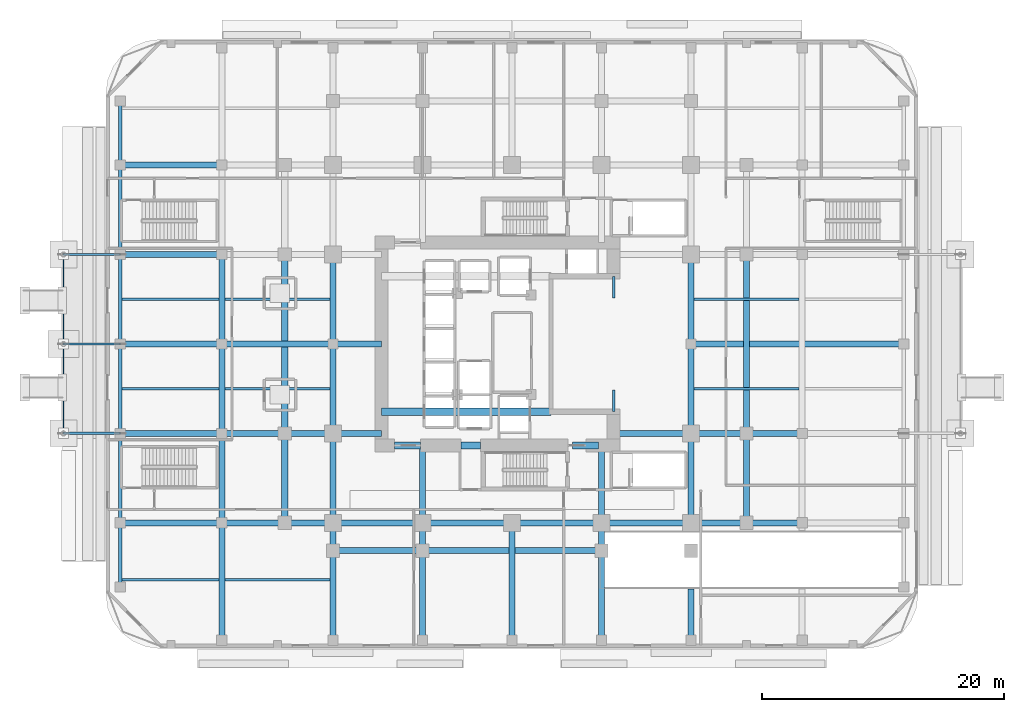
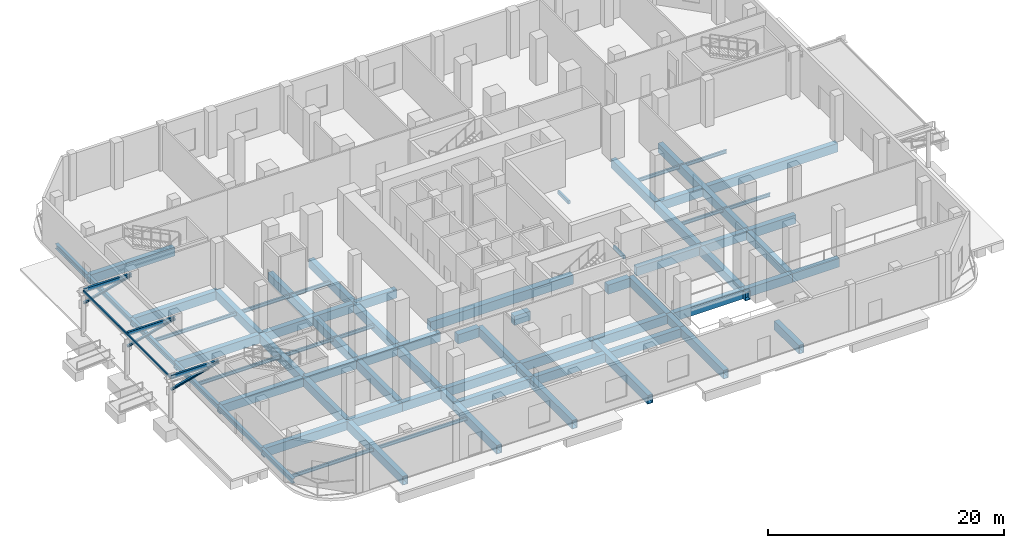
# One storey, part 7 of 24: 71 beams, 4 members.
"""IFC4 building model written with IfcOpenShell, lengths in metres."""

from ifc_helpers import new_model, si_unit, direction, frame, origin, origin_2d, place, context, subcontext, project, spatial, rectangle, hollow_rectangle, i_section, extrude, material, material_profile, profile_set, type_object, element, save


model = new_model("IFC4")

# Units and contexts
model_context = context("Model", 3, precision=1e-05, world=origin(), true_north=direction((0.0, 1.0)))
body_context = subcontext(model_context, "Body", "Model", "MODEL_VIEW")
ifc_project = project(units=[si_unit("LENGTHUNIT", "METRE"), si_unit("AREAUNIT", "SQUARE_METRE"), si_unit("VOLUMEUNIT", "CUBIC_METRE"), si_unit("PLANEANGLEUNIT", "RADIAN"), si_unit("MASSUNIT", "GRAM", prefix="KILO")], contexts=[model_context])

# Site, building, storey
site_placement = place(None, origin())
site = spatial("IfcSite", under=ifc_project, at=site_placement, CompositionType="ELEMENT")
building_placement = place(site_placement, origin())
building = spatial("IfcBuilding", under=site, at=building_placement, Name="Khorvyn Point Tower", CompositionType="ELEMENT")
storey_placement = place(building_placement, origin())
storey = spatial("IfcBuildingStorey", under=building, at=storey_placement, Name="L01", CompositionType="ELEMENT", Elevation=0.0)

# Beams
ifc_material_1 = material(Name="Concrete C35/45", Category="concrete")
ifc_material_profile_1 = material_profile(ifc_material_1, rectangle(XDim=0.199951171875, YDim=0.35009765625, at=origin_2d()))
ifc_profile_set_1 = profile_set([ifc_material_profile_1], Name="Concrete C35/45 RC200x350")
beam_type_1 = type_object("IfcBeamType", Name="Concrete C35/45 Lintel RC200x350", PredefinedType="LINTEL", material=ifc_profile_set_1)
for number, where, z_axis, x_axis, name in (
    (1, (8.39990234375, -5.60009765625, -0.47509765625), (0.0, 1.0, 0.0), (-1.0, 0.0, 0.0), "L01 Core Atrium Portal Lintel S"),
    (2, (8.39990234375, 3.800048828125, -0.47509765625), (0.0, 1.0, 0.0), (-1.0, 0.0, 0.0), "L01 Core Atrium Portal Lintel N"),
):
    element("IfcBeam", number, at=place(storey_placement, frame(where, z_axis=z_axis, x_axis=x_axis)), inside=storey, type_object=beam_type_1, Name=name, PredefinedType="LINTEL", context=body_context, shape_type="SweptSolid", body=[
        extrude(rectangle(XDim=0.199951171875, YDim=0.35009765625, at=origin_2d()), origin(), (0.0, 0.0, 1.0), 1.800048828125),
    ])
ifc_material_2 = material(Name="Concrete C50/60", Category="concrete")
ifc_material_profile_2 = material_profile(ifc_material_2, rectangle(XDim=0.60009765625, YDim=0.949951171875, at=origin_2d()))
ifc_profile_set_2 = profile_set([ifc_material_profile_2], Name="Concrete C50/60 RC600x950")
beam_type_2 = type_object("IfcBeamType", Name="Concrete C50/60 Beam RC600x950", PredefinedType="BEAM", material=ifc_profile_set_2)
beam_1_placement = place(storey_placement, frame((-10.800048828125, -5.60009765625, -0.77490234375), z_axis=(1.0, 0.0, 0.0), x_axis=(0.0, 1.0, 0.0)))
element("IfcBeam", 3, at=beam_1_placement, inside=storey, type_object=beam_type_2, Name="L01 Core Internal Tie Girder S", PredefinedType="BEAM", context=body_context, shape_type="SweptSolid", body=[
    extrude(rectangle(XDim=0.60009765625, YDim=0.949951171875, at=origin_2d()), origin(), (0.0, 0.0, 1.0), 14.02001953125),
])
beam_2_placement = place(storey_placement, frame((-9.699951171875, -8.39990234375, -0.77490234375), z_axis=(1.0, 0.0, 0.0), x_axis=(0.0, 1.0, 0.0)))
element("IfcBeam", 4, at=beam_2_placement, inside=storey, type_object=beam_type_2, Name="L01 Core Southwest Portal Coupling Beam", PredefinedType="BEAM", context=body_context, shape_type="SweptSolid", body=[
    extrude(rectangle(XDim=0.60009765625, YDim=0.949951171875, at=origin_2d()), origin(), (0.0, 0.0, 1.0), 2.14990234375),
])
beam_3_placement = place(storey_placement, frame((-4.199951171875, -8.39990234375, -0.77490234375), z_axis=(1.0, 0.0, 0.0), x_axis=(0.0, 1.0, 0.0)))
element("IfcBeam", 5, at=beam_3_placement, inside=storey, type_object=beam_type_2, Name="L01 Core Shuttle Portal Coupling Beam", PredefinedType="BEAM", context=body_context, shape_type="SweptSolid", body=[
    extrude(rectangle(XDim=0.60009765625, YDim=0.949951171875, at=origin_2d()), origin(), (0.0, 0.0, 1.0), 1.579833984375),
])
beam_4_placement = place(storey_placement, frame((5.0, -8.39990234375, -0.77490234375), z_axis=(1.0, 0.0, 0.0), x_axis=(0.0, 1.0, 0.0)))
element("IfcBeam", 6, at=beam_4_placement, inside=storey, type_object=beam_type_2, Name="L01 Core Southeast Portal Coupling Beam", PredefinedType="BEAM", context=body_context, shape_type="SweptSolid", body=[
    extrude(rectangle(XDim=0.60009765625, YDim=0.949951171875, at=origin_2d()), origin(), (0.0, 0.0, 1.0), 2.14990234375),
])
ifc_material_3 = material(Name="Steel S355", Category="steel")
ifc_material_profile_3 = material_profile(ifc_material_3, i_section(OverallWidth=0.175048828125, OverallDepth=0.35009765625, WebThickness=0.007080078125, FlangeThickness=0.010986328125, at=origin_2d()))
ifc_profile_set_3 = profile_set([ifc_material_profile_3], Name="Steel S355 H350x175x7x11")
beam_type_3 = type_object("IfcBeamType", Name="Steel S355 Joist H350x175x7x11", PredefinedType="JOIST", material=ifc_profile_set_3)
beam_5_placement = place(storey_placement, frame((-32.25, -19.5, -0.47509765625), z_axis=(1.0, 0.0, 0.0), x_axis=(0.0, 1.0, 0.0)))
element("IfcBeam", 7, at=beam_5_placement, inside=storey, type_object=beam_type_3, Name="Beam", PredefinedType="JOIST", context=body_context, shape_type="SweptSolid", body=[
    extrude(i_section(OverallWidth=0.175048828125, OverallDepth=0.35009765625, WebThickness=0.007080078125, FlangeThickness=0.010986328125, at=origin_2d()), origin(), (0.0, 0.0, 1.0), 8.0),
])
beam_6_placement = place(storey_placement, frame((-23.75, -19.5, -0.47509765625), z_axis=(1.0, 0.0, 0.0), x_axis=(0.0, 1.0, 0.0)))
element("IfcBeam", 8, at=beam_6_placement, inside=storey, type_object=beam_type_3, Name="Beam", PredefinedType="JOIST", context=body_context, shape_type="SweptSolid", body=[
    extrude(i_section(OverallWidth=0.175048828125, OverallDepth=0.35009765625, WebThickness=0.007080078125, FlangeThickness=0.010986328125, at=origin_2d()), origin(), (0.0, 0.0, 1.0), 8.699951171875),
])
beam_7_placement = place(storey_placement, frame((-32.25, -3.699951171875, -0.47509765625), z_axis=(1.0, 0.0, 0.0), x_axis=(0.0, 1.0, 0.0)))
element("IfcBeam", 9, at=beam_7_placement, inside=storey, type_object=beam_type_3, Name="Beam", PredefinedType="JOIST", context=body_context, shape_type="SweptSolid", body=[
    extrude(i_section(OverallWidth=0.175048828125, OverallDepth=0.35009765625, WebThickness=0.007080078125, FlangeThickness=0.010986328125, at=origin_2d()), origin(), (0.0, 0.0, 1.0), 8.0),
])
for number, where, z_axis, x_axis, name in (
    (10, (-23.75, -3.699951171875, -0.47509765625), (1.0, 0.0, 0.0), (0.0, 1.0, 0.0), "Beam"),
    (11, (15.050048828125, -3.699951171875, -0.47509765625), (1.0, 0.0, 0.0), (0.0, 1.0, 0.0), "Beam"),
):
    element("IfcBeam", number, at=place(storey_placement, frame(where, z_axis=z_axis, x_axis=x_axis)), inside=storey, type_object=beam_type_3, Name=name, PredefinedType="JOIST", context=body_context, shape_type="SweptSolid", body=[
        extrude(i_section(OverallWidth=0.175048828125, OverallDepth=0.35009765625, WebThickness=0.007080078125, FlangeThickness=0.010986328125, at=origin_2d()), origin(), (0.0, 0.0, 1.0), 8.699951171875),
    ])
beam_8_placement = place(storey_placement, frame((-32.25, 3.699951171875, -0.47509765625), z_axis=(1.0, 0.0, 0.0), x_axis=(0.0, 1.0, 0.0)))
element("IfcBeam", 12, at=beam_8_placement, inside=storey, type_object=beam_type_3, Name="Beam", PredefinedType="JOIST", context=body_context, shape_type="SweptSolid", body=[
    extrude(i_section(OverallWidth=0.175048828125, OverallDepth=0.35009765625, WebThickness=0.007080078125, FlangeThickness=0.010986328125, at=origin_2d()), origin(), (0.0, 0.0, 1.0), 8.0),
])
for number, where, z_axis, x_axis, name in (
    (13, (-23.75, 3.699951171875, -0.47509765625), (1.0, 0.0, 0.0), (0.0, 1.0, 0.0), "Beam"),
    (14, (15.050048828125, 3.699951171875, -0.47509765625), (1.0, 0.0, 0.0), (0.0, 1.0, 0.0), "Beam"),
):
    element("IfcBeam", number, at=place(storey_placement, frame(where, z_axis=z_axis, x_axis=x_axis)), inside=storey, type_object=beam_type_3, Name=name, PredefinedType="JOIST", context=body_context, shape_type="SweptSolid", body=[
        extrude(i_section(OverallWidth=0.175048828125, OverallDepth=0.35009765625, WebThickness=0.007080078125, FlangeThickness=0.010986328125, at=origin_2d()), origin(), (0.0, 0.0, 1.0), 8.699951171875),
    ])
ifc_material_profile_4 = material_profile(ifc_material_3, i_section(OverallWidth=0.199951171875, OverallDepth=0.39990234375, WebThickness=0.008056640625, FlangeThickness=0.012939453125, at=origin_2d()))
ifc_profile_set_4 = profile_set([ifc_material_profile_4], Name="Steel S355 H400x200x8x13")
beam_type_4 = type_object("IfcBeamType", Name="Steel S355 Joist H400x200x8x13", PredefinedType="JOIST", material=ifc_profile_set_4)
for number, where, z_axis, x_axis, name in (
    (15, (-32.39990234375, -7.39990234375, 4.139892578125), (-1.0, 0.0, 0.0), (0.0, -1.0, 0.0), "L01 Canopy Cantilever Girder W1"),
    (16, (-32.39990234375, 0.0, 4.139892578125), (-1.0, 0.0, 0.0), (0.0, -1.0, 0.0), "L01 Canopy Cantilever Girder W2"),
    (17, (-32.39990234375, 7.39990234375, 4.139892578125), (-1.0, 0.0, 0.0), (0.0, -1.0, 0.0), "L01 Canopy Cantilever Girder W3"),
):
    element("IfcBeam", number, at=place(storey_placement, frame(where, z_axis=z_axis, x_axis=x_axis)), inside=storey, type_object=beam_type_4, Name=name, PredefinedType="JOIST", context=body_context, shape_type="SweptSolid", body=[
        extrude(i_section(OverallWidth=0.199951171875, OverallDepth=0.39990234375, WebThickness=0.008056640625, FlangeThickness=0.012939453125, at=origin_2d()), origin(), (0.0, 0.0, 1.0), 4.7001953125),
    ])
ifc_material_profile_5 = material_profile(ifc_material_3, i_section(OverallWidth=0.300048828125, OverallDepth=0.488037109375, WebThickness=0.010986328125, FlangeThickness=0.01806640625, at=origin_2d()))
ifc_profile_set_5 = profile_set([ifc_material_profile_5], Name="Steel S355 H488x300x11x18")
beam_type_5 = type_object("IfcBeamType", Name="Steel S355 Spandrel H488x300x11x18", PredefinedType="SPANDREL", material=ifc_profile_set_5)
beam_9_placement = place(storey_placement, frame((-32.39990234375, -20.10009765625, -0.5439453125), z_axis=(0.0, 1.0, 0.0), x_axis=(-1.0, 0.0, 0.0)))
element("IfcBeam", 18, at=beam_9_placement, inside=storey, type_object=beam_type_5, Name="Beam", PredefinedType="SPANDREL", context=body_context, shape_type="SweptSolid", body=[
    extrude(i_section(OverallWidth=0.300048828125, OverallDepth=0.488037109375, WebThickness=0.010986328125, FlangeThickness=0.01806640625, at=origin_2d()), origin(), (0.0, 0.0, 1.0), 5.300048828125),
])
beam_10_placement = place(storey_placement, frame((-32.39990234375, -14.800048828125, -0.5439453125), z_axis=(0.0, 1.0, 0.0), x_axis=(-1.0, 0.0, 0.0)))
element("IfcBeam", 19, at=beam_10_placement, inside=storey, type_object=beam_type_5, Name="Beam", PredefinedType="SPANDREL", context=body_context, shape_type="SweptSolid", body=[
    extrude(i_section(OverallWidth=0.300048828125, OverallDepth=0.488037109375, WebThickness=0.010986328125, FlangeThickness=0.01806640625, at=origin_2d()), origin(), (0.0, 0.0, 1.0), 7.400146484375),
])
for number, where, z_axis, x_axis, name in (
    (20, (-32.39990234375, -7.39990234375, -0.5439453125), (0.0, 1.0, 0.0), (-1.0, 0.0, 0.0), "Beam"),
    (21, (-32.39990234375, 0.0, -0.5439453125), (0.0, 1.0, 0.0), (-1.0, 0.0, 0.0), "Beam"),
):
    element("IfcBeam", number, at=place(storey_placement, frame(where, z_axis=z_axis, x_axis=x_axis)), inside=storey, type_object=beam_type_5, Name=name, PredefinedType="SPANDREL", context=body_context, shape_type="SweptSolid", body=[
        extrude(i_section(OverallWidth=0.300048828125, OverallDepth=0.488037109375, WebThickness=0.010986328125, FlangeThickness=0.01806640625, at=origin_2d()), origin(), (0.0, 0.0, 1.0), 7.39990234375),
    ])
beam_11_placement = place(storey_placement, frame((-32.39990234375, 7.39990234375, -0.5439453125), z_axis=(0.0, 1.0, 0.0), x_axis=(-1.0, 0.0, 0.0)))
element("IfcBeam", 22, at=beam_11_placement, inside=storey, type_object=beam_type_5, Name="Beam", PredefinedType="SPANDREL", context=body_context, shape_type="SweptSolid", body=[
    extrude(i_section(OverallWidth=0.300048828125, OverallDepth=0.488037109375, WebThickness=0.010986328125, FlangeThickness=0.01806640625, at=origin_2d()), origin(), (0.0, 0.0, 1.0), 7.400146484375),
])
beam_12_placement = place(storey_placement, frame((-32.39990234375, 14.800048828125, -0.5439453125), z_axis=(0.0, 1.0, 0.0), x_axis=(-1.0, 0.0, 0.0)))
element("IfcBeam", 23, at=beam_12_placement, inside=storey, type_object=beam_type_5, Name="Beam", PredefinedType="SPANDREL", context=body_context, shape_type="SweptSolid", body=[
    extrude(i_section(OverallWidth=0.300048828125, OverallDepth=0.488037109375, WebThickness=0.010986328125, FlangeThickness=0.01806640625, at=origin_2d()), origin(), (0.0, 0.0, 1.0), 5.300048828125),
])

# Members
ifc_material_profile_6 = material_profile(ifc_material_3, i_section(OverallWidth=0.199951171875, OverallDepth=0.199951171875, WebThickness=0.008056640625, FlangeThickness=0.011962890625, at=origin_2d()))
ifc_profile_set_6 = profile_set([ifc_material_profile_6], Name="Steel S355 H200x200x8x12")
member_type_1 = type_object("IfcMemberType", Name="Steel S355 Truss Brace H200x200x8x12", PredefinedType="BRACE", material=ifc_profile_set_6)
for number, where, z_axis, x_axis, name in (
    (24, (-37.10009765625, -7.39990234375, 2.85009765625), (0.966408018025, 0.0, 0.257012728667), (0.0, 1.0, 0.0), "L01 Canopy Strut W1"),
    (25, (-37.10009765625, 0.0, 2.85009765625), (0.966408018025, 0.0, 0.257012728667), (0.0, 1.0, 0.0), "L01 Canopy Strut W2"),
    (26, (-37.10009765625, 7.39990234375, 2.85009765625), (0.966408018025, 0.0, 0.257012728667), (0.0, 1.0, 0.0), "L01 Canopy Strut W3"),
):
    element("IfcMember", number, at=place(storey_placement, frame(where, z_axis=z_axis, x_axis=x_axis)), inside=storey, type_object=member_type_1, Name=name, PredefinedType="BRACE", context=body_context, shape_type="SweptSolid", body=[
        extrude(i_section(OverallWidth=0.199951171875, OverallDepth=0.199951171875, WebThickness=0.008056640625, FlangeThickness=0.011962890625, at=origin_2d()), origin(), (0.0, 0.0, 1.0), 4.863525390625),
    ])
ifc_material_profile_7 = material_profile(ifc_material_3, hollow_rectangle(XDim=0.1201171875, YDim=0.199951171875, WallThickness=0.008056640625, at=origin_2d()))
ifc_profile_set_7 = profile_set([ifc_material_profile_7], Name="Steel S355 RHS200x120x8")
member_type_2 = type_object("IfcMemberType", Name="Steel S355 Truss Chord RHS200x120x8", PredefinedType="CHORD", material=ifc_profile_set_7)
member_placement = place(storey_placement, frame((-37.10009765625, -7.39990234375, 4.10009765625), z_axis=(0.0, 1.0, 0.0), x_axis=(-1.0, 0.0, 0.0)))
element("IfcMember", 27, at=member_placement, inside=storey, type_object=member_type_2, Name="L01 Canopy Edge Tie Chord W", PredefinedType="CHORD", context=body_context, shape_type="SweptSolid", body=[
    extrude(hollow_rectangle(XDim=0.1201171875, YDim=0.199951171875, WallThickness=0.008056640625, at=origin_2d()), origin(), (0.0, 0.0, 1.0), 14.7998046875),
])

# Beams
ifc_material_4 = material(Name="Steel S450", Category="steel")
ifc_material_profile_8 = material_profile(ifc_material_4, hollow_rectangle(XDim=0.5, YDim=0.89990234375, WallThickness=0.0400390625, at=origin_2d()))
ifc_profile_set_8 = profile_set([ifc_material_profile_8], Name="Steel S450 BOX900x500x40")
beam_type_6 = type_object("IfcBeamType", Name="Steel S450 Beam BOX900x500x40", PredefinedType="BEAM", material=ifc_profile_set_8)
beam_13_placement = place(storey_placement, frame((-32.39990234375, -14.800048828125, -0.75), z_axis=(1.0, 0.0, 0.0), x_axis=(0.0, 1.0, 0.0)))
element("IfcBeam", 28, at=beam_13_placement, inside=storey, type_object=beam_type_6, Name="Beam", PredefinedType="BEAM", context=body_context, shape_type="SweptSolid", body=[
    extrude(hollow_rectangle(XDim=0.5, YDim=0.89990234375, WallThickness=0.0400390625, at=origin_2d()), origin(), (0.0, 0.0, 1.0), 8.39990234375),
])
beam_14_placement = place(storey_placement, frame((-24.0, -14.800048828125, -0.75), z_axis=(1.0, 0.0, 0.0), x_axis=(0.0, 1.0, 0.0)))
element("IfcBeam", 29, at=beam_14_placement, inside=storey, type_object=beam_type_6, Name="Beam", PredefinedType="BEAM", context=body_context, shape_type="SweptSolid", body=[
    extrude(hollow_rectangle(XDim=0.5, YDim=0.89990234375, WallThickness=0.0400390625, at=origin_2d()), origin(), (0.0, 0.0, 1.0), 5.199951171875),
])
beam_15_placement = place(storey_placement, frame((-18.800048828125, -14.800048828125, -0.75), z_axis=(1.0, 0.0, 0.0), x_axis=(0.0, 1.0, 0.0)))
element("IfcBeam", 30, at=beam_15_placement, inside=storey, type_object=beam_type_6, Name="Beam", PredefinedType="BEAM", context=body_context, shape_type="SweptSolid", body=[
    extrude(hollow_rectangle(XDim=0.5, YDim=0.89990234375, WallThickness=0.0400390625, at=origin_2d()), origin(), (0.0, 0.0, 1.0), 4.0),
])
beam_16_placement = place(storey_placement, frame((-14.800048828125, -14.800048828125, -0.75), z_axis=(1.0, 0.0, 0.0), x_axis=(0.0, 1.0, 0.0)))
element("IfcBeam", 31, at=beam_16_placement, inside=storey, type_object=beam_type_6, Name="Beam", PredefinedType="BEAM", context=body_context, shape_type="SweptSolid", body=[
    extrude(hollow_rectangle(XDim=0.5, YDim=0.89990234375, WallThickness=0.0400390625, at=origin_2d()), origin(), (0.0, 0.0, 1.0), 7.400146484375),
])
for number, where, z_axis, x_axis, name in (
    (32, (-7.39990234375, -14.800048828125, -0.75), (1.0, 0.0, 0.0), (0.0, 1.0, 0.0), "Beam"),
    (33, (0.0, -14.800048828125, -0.75), (1.0, 0.0, 0.0), (0.0, 1.0, 0.0), "Beam"),
):
    element("IfcBeam", number, at=place(storey_placement, frame(where, z_axis=z_axis, x_axis=x_axis)), inside=storey, type_object=beam_type_6, Name=name, PredefinedType="BEAM", context=body_context, shape_type="SweptSolid", body=[
        extrude(hollow_rectangle(XDim=0.5, YDim=0.89990234375, WallThickness=0.0400390625, at=origin_2d()), origin(), (0.0, 0.0, 1.0), 7.39990234375),
    ])
beam_17_placement = place(storey_placement, frame((7.39990234375, -14.800048828125, -0.75), z_axis=(1.0, 0.0, 0.0), x_axis=(0.0, 1.0, 0.0)))
element("IfcBeam", 34, at=beam_17_placement, inside=storey, type_object=beam_type_6, Name="Beam", PredefinedType="BEAM", context=body_context, shape_type="SweptSolid", body=[
    extrude(hollow_rectangle(XDim=0.5, YDim=0.89990234375, WallThickness=0.0400390625, at=origin_2d()), origin(), (0.0, 0.0, 1.0), 7.400146484375),
])
beam_18_placement = place(storey_placement, frame((14.800048828125, -14.800048828125, -0.75), z_axis=(1.0, 0.0, 0.0), x_axis=(0.0, 1.0, 0.0)))
element("IfcBeam", 35, at=beam_18_placement, inside=storey, type_object=beam_type_6, Name="Beam", PredefinedType="BEAM", context=body_context, shape_type="SweptSolid", body=[
    extrude(hollow_rectangle(XDim=0.5, YDim=0.89990234375, WallThickness=0.0400390625, at=origin_2d()), origin(), (0.0, 0.0, 1.0), 4.599853515625),
])
beam_19_placement = place(storey_placement, frame((19.39990234375, -14.800048828125, -0.75), z_axis=(1.0, 0.0, 0.0), x_axis=(0.0, 1.0, 0.0)))
element("IfcBeam", 36, at=beam_19_placement, inside=storey, type_object=beam_type_6, Name="Beam", PredefinedType="BEAM", context=body_context, shape_type="SweptSolid", body=[
    extrude(hollow_rectangle(XDim=0.5, YDim=0.89990234375, WallThickness=0.0400390625, at=origin_2d()), origin(), (0.0, 0.0, 1.0), 4.60009765625),
])
beam_20_placement = place(storey_placement, frame((-32.39990234375, -7.39990234375, -0.75), z_axis=(1.0, 0.0, 0.0), x_axis=(0.0, 1.0, 0.0)))
element("IfcBeam", 37, at=beam_20_placement, inside=storey, type_object=beam_type_6, Name="Beam", PredefinedType="BEAM", context=body_context, shape_type="SweptSolid", body=[
    extrude(hollow_rectangle(XDim=0.5, YDim=0.89990234375, WallThickness=0.0400390625, at=origin_2d()), origin(), (0.0, 0.0, 1.0), 8.39990234375),
])
beam_21_placement = place(storey_placement, frame((-24.0, -7.39990234375, -0.75), z_axis=(1.0, 0.0, 0.0), x_axis=(0.0, 1.0, 0.0)))
element("IfcBeam", 38, at=beam_21_placement, inside=storey, type_object=beam_type_6, Name="Beam", PredefinedType="BEAM", context=body_context, shape_type="SweptSolid", body=[
    extrude(hollow_rectangle(XDim=0.5, YDim=0.89990234375, WallThickness=0.0400390625, at=origin_2d()), origin(), (0.0, 0.0, 1.0), 5.199951171875),
])
for number, where, z_axis, x_axis, name in (
    (39, (-18.800048828125, -7.39990234375, -0.75), (1.0, 0.0, 0.0), (0.0, 1.0, 0.0), "Beam"),
    (40, (-14.800048828125, -7.39990234375, -0.75), (1.0, 0.0, 0.0), (0.0, 1.0, 0.0), "Beam"),
):
    element("IfcBeam", number, at=place(storey_placement, frame(where, z_axis=z_axis, x_axis=x_axis)), inside=storey, type_object=beam_type_6, Name=name, PredefinedType="BEAM", context=body_context, shape_type="SweptSolid", body=[
        extrude(hollow_rectangle(XDim=0.5, YDim=0.89990234375, WallThickness=0.0400390625, at=origin_2d()), origin(), (0.0, 0.0, 1.0), 4.0),
    ])
beam_22_placement = place(storey_placement, frame((8.39990234375, -7.39990234375, -0.75), z_axis=(1.0, 0.0, 0.0), x_axis=(0.0, 1.0, 0.0)))
element("IfcBeam", 41, at=beam_22_placement, inside=storey, type_object=beam_type_6, Name="Beam", PredefinedType="BEAM", context=body_context, shape_type="SweptSolid", body=[
    extrude(hollow_rectangle(XDim=0.5, YDim=0.89990234375, WallThickness=0.0400390625, at=origin_2d()), origin(), (0.0, 0.0, 1.0), 6.400146484375),
])
beam_23_placement = place(storey_placement, frame((14.800048828125, -7.39990234375, -0.75), z_axis=(1.0, 0.0, 0.0), x_axis=(0.0, 1.0, 0.0)))
element("IfcBeam", 42, at=beam_23_placement, inside=storey, type_object=beam_type_6, Name="Beam", PredefinedType="BEAM", context=body_context, shape_type="SweptSolid", body=[
    extrude(hollow_rectangle(XDim=0.5, YDim=0.89990234375, WallThickness=0.0400390625, at=origin_2d()), origin(), (0.0, 0.0, 1.0), 4.599853515625),
])
beam_24_placement = place(storey_placement, frame((19.39990234375, -7.39990234375, -0.75), z_axis=(1.0, 0.0, 0.0), x_axis=(0.0, 1.0, 0.0)))
element("IfcBeam", 43, at=beam_24_placement, inside=storey, type_object=beam_type_6, Name="Beam", PredefinedType="BEAM", context=body_context, shape_type="SweptSolid", body=[
    extrude(hollow_rectangle(XDim=0.5, YDim=0.89990234375, WallThickness=0.0400390625, at=origin_2d()), origin(), (0.0, 0.0, 1.0), 4.60009765625),
])
beam_25_placement = place(storey_placement, frame((-32.39990234375, 0.0, -0.75), z_axis=(1.0, 0.0, 0.0), x_axis=(0.0, 1.0, 0.0)))
element("IfcBeam", 44, at=beam_25_placement, inside=storey, type_object=beam_type_6, Name="Beam", PredefinedType="BEAM", context=body_context, shape_type="SweptSolid", body=[
    extrude(hollow_rectangle(XDim=0.5, YDim=0.89990234375, WallThickness=0.0400390625, at=origin_2d()), origin(), (0.0, 0.0, 1.0), 8.39990234375),
])
beam_26_placement = place(storey_placement, frame((-24.0, 0.0, -0.75), z_axis=(1.0, 0.0, 0.0), x_axis=(0.0, 1.0, 0.0)))
element("IfcBeam", 45, at=beam_26_placement, inside=storey, type_object=beam_type_6, Name="Beam", PredefinedType="BEAM", context=body_context, shape_type="SweptSolid", body=[
    extrude(hollow_rectangle(XDim=0.5, YDim=0.89990234375, WallThickness=0.0400390625, at=origin_2d()), origin(), (0.0, 0.0, 1.0), 9.199951171875),
])
beam_27_placement = place(storey_placement, frame((-14.800048828125, 0.0, -0.75), z_axis=(1.0, 0.0, 0.0), x_axis=(0.0, 1.0, 0.0)))
element("IfcBeam", 46, at=beam_27_placement, inside=storey, type_object=beam_type_6, Name="Beam", PredefinedType="BEAM", context=body_context, shape_type="SweptSolid", body=[
    extrude(hollow_rectangle(XDim=0.5, YDim=0.89990234375, WallThickness=0.0400390625, at=origin_2d()), origin(), (0.0, 0.0, 1.0), 4.0),
])
beam_28_placement = place(storey_placement, frame((14.800048828125, 0.0, -0.75), z_axis=(1.0, 0.0, 0.0), x_axis=(0.0, 1.0, 0.0)))
element("IfcBeam", 47, at=beam_28_placement, inside=storey, type_object=beam_type_6, Name="Beam", PredefinedType="BEAM", context=body_context, shape_type="SweptSolid", body=[
    extrude(hollow_rectangle(XDim=0.5, YDim=0.89990234375, WallThickness=0.0400390625, at=origin_2d()), origin(), (0.0, 0.0, 1.0), 17.599853515625),
])
for number, where, z_axis, x_axis, name in (
    (48, (-32.39990234375, 7.39990234375, -0.75), (1.0, 0.0, 0.0), (0.0, 1.0, 0.0), "Beam"),
    (49, (-32.39990234375, 14.800048828125, -0.75), (1.0, 0.0, 0.0), (0.0, 1.0, 0.0), "Beam"),
):
    element("IfcBeam", number, at=place(storey_placement, frame(where, z_axis=z_axis, x_axis=x_axis)), inside=storey, type_object=beam_type_6, Name=name, PredefinedType="BEAM", context=body_context, shape_type="SweptSolid", body=[
        extrude(hollow_rectangle(XDim=0.5, YDim=0.89990234375, WallThickness=0.0400390625, at=origin_2d()), origin(), (0.0, 0.0, 1.0), 8.39990234375),
    ])
beam_29_placement = place(storey_placement, frame((-14.800048828125, -17.10009765625, -0.75), z_axis=(1.0, 0.0, 0.0), x_axis=(0.0, 1.0, 0.0)))
element("IfcBeam", 50, at=beam_29_placement, inside=storey, type_object=beam_type_6, Name="Beam", PredefinedType="BEAM", context=body_context, shape_type="SweptSolid", body=[
    extrude(hollow_rectangle(XDim=0.5, YDim=0.89990234375, WallThickness=0.0400390625, at=origin_2d()), origin(), (0.0, 0.0, 1.0), 7.400146484375),
])
beam_30_placement = place(storey_placement, frame((-7.39990234375, -17.10009765625, -0.75), z_axis=(1.0, 0.0, 0.0), x_axis=(0.0, 1.0, 0.0)))
element("IfcBeam", 51, at=beam_30_placement, inside=storey, type_object=beam_type_6, Name="Beam", PredefinedType="BEAM", context=body_context, shape_type="SweptSolid", body=[
    extrude(hollow_rectangle(XDim=0.5, YDim=0.89990234375, WallThickness=0.0400390625, at=origin_2d()), origin(), (0.0, 0.0, 1.0), 14.7998046875),
])
beam_31_placement = place(storey_placement, frame((-24.0, -24.5, -0.75), z_axis=(0.0, 1.0, 0.0), x_axis=(-1.0, 0.0, 0.0)))
element("IfcBeam", 52, at=beam_31_placement, inside=storey, type_object=beam_type_6, Name="Beam", PredefinedType="BEAM", context=body_context, shape_type="SweptSolid", body=[
    extrude(hollow_rectangle(XDim=0.5, YDim=0.89990234375, WallThickness=0.0400390625, at=origin_2d()), origin(), (0.0, 0.0, 1.0), 9.699951171875),
])
beam_32_placement = place(storey_placement, frame((-24.0, -14.800048828125, -0.75), z_axis=(0.0, 1.0, 0.0), x_axis=(-1.0, 0.0, 0.0)))
element("IfcBeam", 53, at=beam_32_placement, inside=storey, type_object=beam_type_6, Name="Beam", PredefinedType="BEAM", context=body_context, shape_type="SweptSolid", body=[
    extrude(hollow_rectangle(XDim=0.5, YDim=0.89990234375, WallThickness=0.0400390625, at=origin_2d()), origin(), (0.0, 0.0, 1.0), 7.400146484375),
])
for number, where, z_axis, x_axis, name in (
    (54, (-24.0, -7.39990234375, -0.75), (0.0, 1.0, 0.0), (-1.0, 0.0, 0.0), "Beam"),
    (55, (-24.0, 0.0, -0.75), (0.0, 1.0, 0.0), (-1.0, 0.0, 0.0), "Beam"),
    (56, (-14.800048828125, -24.5, -0.75), (0.0, 1.0, 0.0), (-1.0, 0.0, 0.0), "Beam"),
):
    element("IfcBeam", number, at=place(storey_placement, frame(where, z_axis=z_axis, x_axis=x_axis)), inside=storey, type_object=beam_type_6, Name=name, PredefinedType="BEAM", context=body_context, shape_type="SweptSolid", body=[
        extrude(hollow_rectangle(XDim=0.5, YDim=0.89990234375, WallThickness=0.0400390625, at=origin_2d()), origin(), (0.0, 0.0, 1.0), 7.39990234375),
    ])
beam_33_placement = place(storey_placement, frame((-14.800048828125, -17.10009765625, -0.75), z_axis=(0.0, 1.0, 0.0), x_axis=(-1.0, 0.0, 0.0)))
element("IfcBeam", 57, at=beam_33_placement, inside=storey, type_object=beam_type_6, Name="Beam", PredefinedType="BEAM", context=body_context, shape_type="SweptSolid", body=[
    extrude(hollow_rectangle(XDim=0.5, YDim=0.89990234375, WallThickness=0.0400390625, at=origin_2d()), origin(), (0.0, 0.0, 1.0), 2.300048828125),
])
beam_34_placement = place(storey_placement, frame((-14.800048828125, -14.800048828125, -0.75), z_axis=(0.0, 1.0, 0.0), x_axis=(-1.0, 0.0, 0.0)))
element("IfcBeam", 58, at=beam_34_placement, inside=storey, type_object=beam_type_6, Name="Beam", PredefinedType="BEAM", context=body_context, shape_type="SweptSolid", body=[
    extrude(hollow_rectangle(XDim=0.5, YDim=0.89990234375, WallThickness=0.0400390625, at=origin_2d()), origin(), (0.0, 0.0, 1.0), 7.400146484375),
])
for number, where, z_axis, x_axis, name in (
    (59, (-14.800048828125, -7.39990234375, -0.75), (0.0, 1.0, 0.0), (-1.0, 0.0, 0.0), "Beam"),
    (60, (-14.800048828125, 0.0, -0.75), (0.0, 1.0, 0.0), (-1.0, 0.0, 0.0), "Beam"),
    (61, (-7.39990234375, -24.5, -0.75), (0.0, 1.0, 0.0), (-1.0, 0.0, 0.0), "Beam"),
):
    element("IfcBeam", number, at=place(storey_placement, frame(where, z_axis=z_axis, x_axis=x_axis)), inside=storey, type_object=beam_type_6, Name=name, PredefinedType="BEAM", context=body_context, shape_type="SweptSolid", body=[
        extrude(hollow_rectangle(XDim=0.5, YDim=0.89990234375, WallThickness=0.0400390625, at=origin_2d()), origin(), (0.0, 0.0, 1.0), 7.39990234375),
    ])
beam_35_placement = place(storey_placement, frame((-7.39990234375, -17.10009765625, -0.75), z_axis=(0.0, 1.0, 0.0), x_axis=(-1.0, 0.0, 0.0)))
element("IfcBeam", 62, at=beam_35_placement, inside=storey, type_object=beam_type_6, Name="Beam", PredefinedType="BEAM", context=body_context, shape_type="SweptSolid", body=[
    extrude(hollow_rectangle(XDim=0.5, YDim=0.89990234375, WallThickness=0.0400390625, at=origin_2d()), origin(), (0.0, 0.0, 1.0), 2.300048828125),
])
beam_36_placement = place(storey_placement, frame((-7.39990234375, -14.800048828125, -0.75), z_axis=(0.0, 1.0, 0.0), x_axis=(-1.0, 0.0, 0.0)))
element("IfcBeam", 63, at=beam_36_placement, inside=storey, type_object=beam_type_6, Name="Beam", PredefinedType="BEAM", context=body_context, shape_type="SweptSolid", body=[
    extrude(hollow_rectangle(XDim=0.5, YDim=0.89990234375, WallThickness=0.0400390625, at=origin_2d()), origin(), (0.0, 0.0, 1.0), 6.400146484375),
])
beam_37_placement = place(storey_placement, frame((0.0, -24.5, -0.75), z_axis=(0.0, 1.0, 0.0), x_axis=(-1.0, 0.0, 0.0)))
element("IfcBeam", 64, at=beam_37_placement, inside=storey, type_object=beam_type_6, Name="Beam", PredefinedType="BEAM", context=body_context, shape_type="SweptSolid", body=[
    extrude(hollow_rectangle(XDim=0.5, YDim=0.89990234375, WallThickness=0.0400390625, at=origin_2d()), origin(), (0.0, 0.0, 1.0), 9.699951171875),
])
beam_38_placement = place(storey_placement, frame((7.39990234375, -24.5, -0.75), z_axis=(0.0, 1.0, 0.0), x_axis=(-1.0, 0.0, 0.0)))
element("IfcBeam", 65, at=beam_38_placement, inside=storey, type_object=beam_type_6, Name="Beam", PredefinedType="BEAM", context=body_context, shape_type="SweptSolid", body=[
    extrude(hollow_rectangle(XDim=0.5, YDim=0.89990234375, WallThickness=0.0400390625, at=origin_2d()), origin(), (0.0, 0.0, 1.0), 7.39990234375),
])
beam_39_placement = place(storey_placement, frame((7.39990234375, -17.10009765625, -0.75), z_axis=(0.0, 1.0, 0.0), x_axis=(-1.0, 0.0, 0.0)))
element("IfcBeam", 66, at=beam_39_placement, inside=storey, type_object=beam_type_6, Name="Beam", PredefinedType="BEAM", context=body_context, shape_type="SweptSolid", body=[
    extrude(hollow_rectangle(XDim=0.5, YDim=0.89990234375, WallThickness=0.0400390625, at=origin_2d()), origin(), (0.0, 0.0, 1.0), 2.300048828125),
])
beam_40_placement = place(storey_placement, frame((7.39990234375, -14.800048828125, -0.75), z_axis=(0.0, 1.0, 0.0), x_axis=(-1.0, 0.0, 0.0)))
element("IfcBeam", 67, at=beam_40_placement, inside=storey, type_object=beam_type_6, Name="Beam", PredefinedType="BEAM", context=body_context, shape_type="SweptSolid", body=[
    extrude(hollow_rectangle(XDim=0.5, YDim=0.89990234375, WallThickness=0.0400390625, at=origin_2d()), origin(), (0.0, 0.0, 1.0), 6.400146484375),
])
beam_41_placement = place(storey_placement, frame((14.800048828125, -24.5, -0.75), z_axis=(0.0, 1.0, 0.0), x_axis=(-1.0, 0.0, 0.0)))
element("IfcBeam", 68, at=beam_41_placement, inside=storey, type_object=beam_type_6, Name="Beam", PredefinedType="BEAM", context=body_context, shape_type="SweptSolid", body=[
    extrude(hollow_rectangle(XDim=0.5, YDim=0.89990234375, WallThickness=0.0400390625, at=origin_2d()), origin(), (0.0, 0.0, 1.0), 4.219970703125),
])
beam_42_placement = place(storey_placement, frame((14.800048828125, -15.419921875, -0.75), z_axis=(0.0, 1.0, 0.0), x_axis=(-1.0, 0.0, 0.0)))
element("IfcBeam", 69, at=beam_42_placement, inside=storey, type_object=beam_type_6, Name="Beam", PredefinedType="BEAM", context=body_context, shape_type="SweptSolid", body=[
    extrude(hollow_rectangle(XDim=0.5, YDim=0.89990234375, WallThickness=0.0400390625, at=origin_2d()), origin(), (0.0, 0.0, 1.0), 8.02001953125),
])
for number, where, z_axis, x_axis, name in (
    (70, (14.800048828125, -7.39990234375, -0.75), (0.0, 1.0, 0.0), (-1.0, 0.0, 0.0), "Beam"),
    (71, (14.800048828125, 0.0, -0.75), (0.0, 1.0, 0.0), (-1.0, 0.0, 0.0), "Beam"),
):
    element("IfcBeam", number, at=place(storey_placement, frame(where, z_axis=z_axis, x_axis=x_axis)), inside=storey, type_object=beam_type_6, Name=name, PredefinedType="BEAM", context=body_context, shape_type="SweptSolid", body=[
        extrude(hollow_rectangle(XDim=0.5, YDim=0.89990234375, WallThickness=0.0400390625, at=origin_2d()), origin(), (0.0, 0.0, 1.0), 7.39990234375),
    ])
beam_43_placement = place(storey_placement, frame((-18.800048828125, -14.800048828125, -0.75), z_axis=(0.0, 1.0, 0.0), x_axis=(-1.0, 0.0, 0.0)))
element("IfcBeam", 72, at=beam_43_placement, inside=storey, type_object=beam_type_6, Name="Beam", PredefinedType="BEAM", context=body_context, shape_type="SweptSolid", body=[
    extrude(hollow_rectangle(XDim=0.5, YDim=0.89990234375, WallThickness=0.0400390625, at=origin_2d()), origin(), (0.0, 0.0, 1.0), 7.400146484375),
])
beam_44_placement = place(storey_placement, frame((-18.800048828125, -7.39990234375, -0.75), z_axis=(0.0, 1.0, 0.0), x_axis=(-1.0, 0.0, 0.0)))
element("IfcBeam", 73, at=beam_44_placement, inside=storey, type_object=beam_type_6, Name="Beam", PredefinedType="BEAM", context=body_context, shape_type="SweptSolid", body=[
    extrude(hollow_rectangle(XDim=0.5, YDim=0.89990234375, WallThickness=0.0400390625, at=origin_2d()), origin(), (0.0, 0.0, 1.0), 14.7998046875),
])
beam_45_placement = place(storey_placement, frame((19.39990234375, -14.800048828125, -0.75), z_axis=(0.0, 1.0, 0.0), x_axis=(-1.0, 0.0, 0.0)))
element("IfcBeam", 74, at=beam_45_placement, inside=storey, type_object=beam_type_6, Name="Beam", PredefinedType="BEAM", context=body_context, shape_type="SweptSolid", body=[
    extrude(hollow_rectangle(XDim=0.5, YDim=0.89990234375, WallThickness=0.0400390625, at=origin_2d()), origin(), (0.0, 0.0, 1.0), 7.400146484375),
])
beam_46_placement = place(storey_placement, frame((19.39990234375, -7.39990234375, -0.75), z_axis=(0.0, 1.0, 0.0), x_axis=(-1.0, 0.0, 0.0)))
element("IfcBeam", 75, at=beam_46_placement, inside=storey, type_object=beam_type_6, Name="Beam", PredefinedType="BEAM", context=body_context, shape_type="SweptSolid", body=[
    extrude(hollow_rectangle(XDim=0.5, YDim=0.89990234375, WallThickness=0.0400390625, at=origin_2d()), origin(), (0.0, 0.0, 1.0), 14.7998046875),
])

save(model, "model.ifc")
